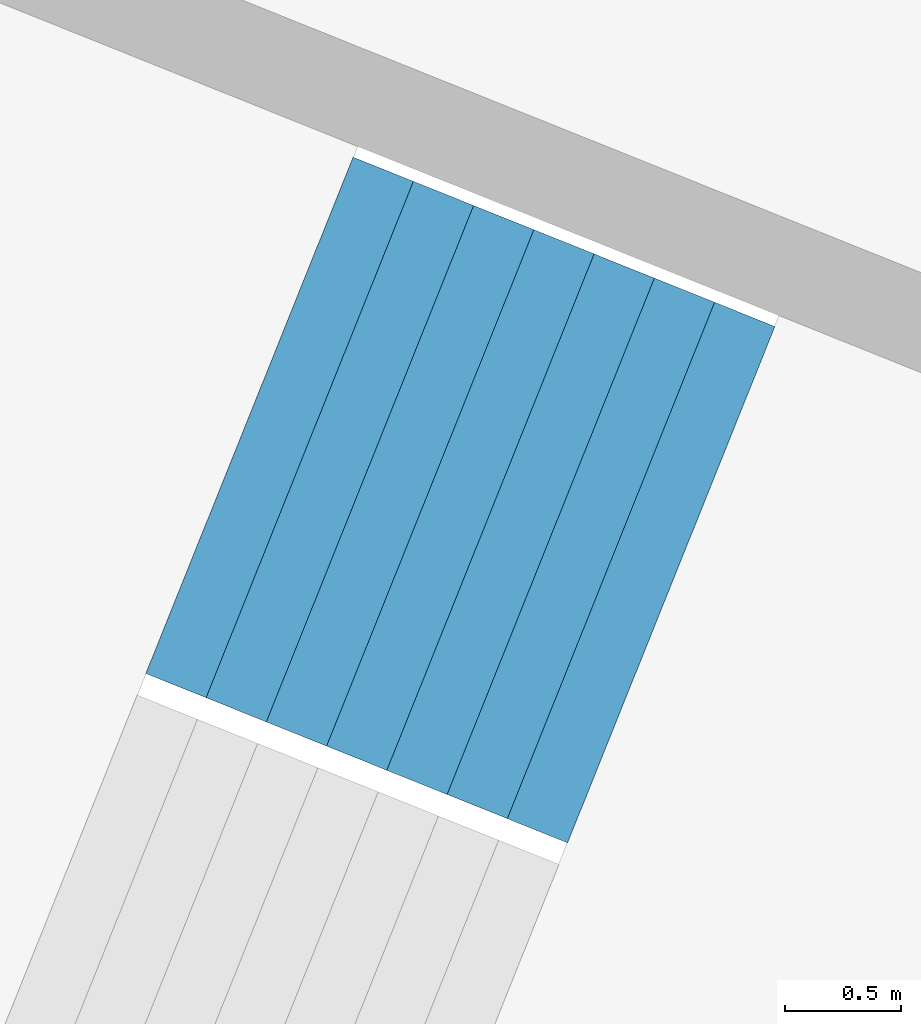
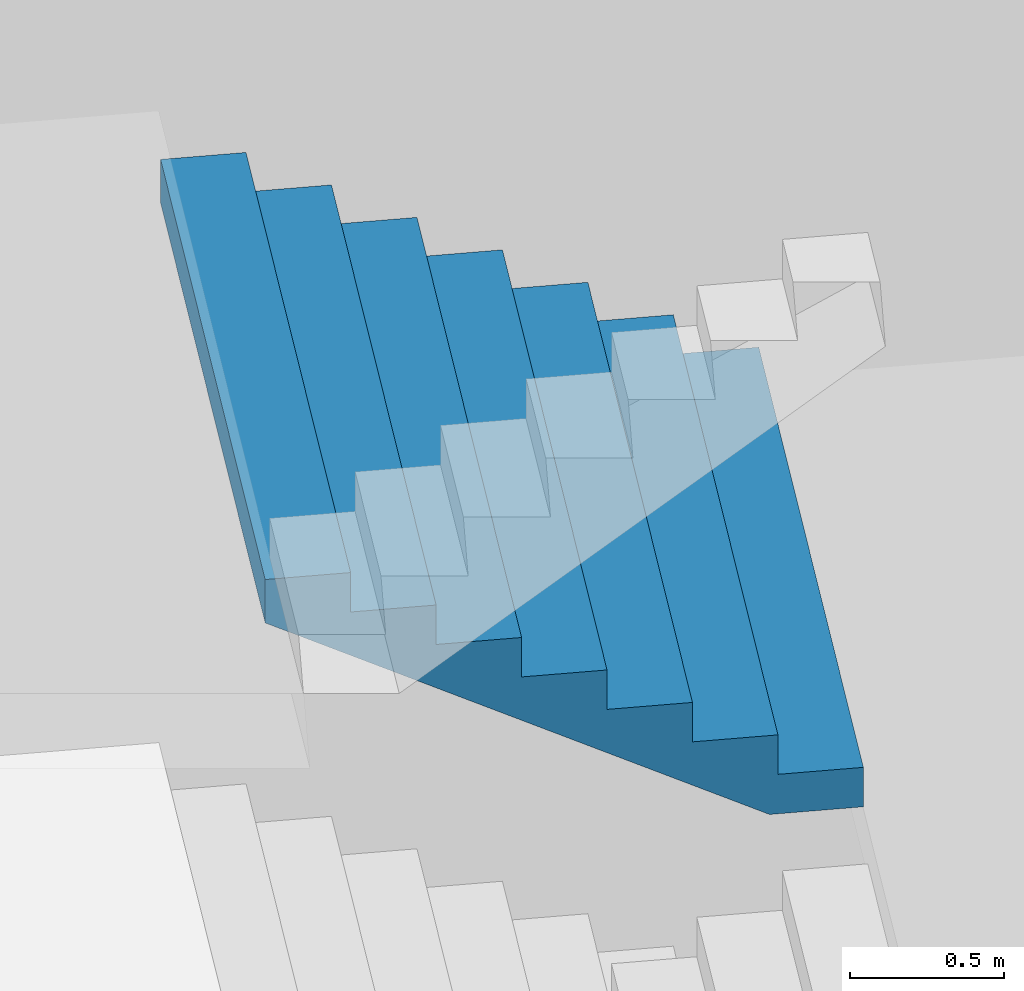
# One storey, part 36 of 73: 1 stair flight, 1 element without a shape of its own.
"""IFC4 building model written with IfcOpenShell, lengths in metres."""

from ifc_helpers import new_model, si_unit, direction, frame, origin, place, context, subcontext, project, spatial, triangles, material, type_object, element, aggregate, save


model = new_model("IFC4")

# Units and contexts
model_context = context("Model", 3, precision=1e-05, world=origin(), true_north=direction((0.0, 1.0)))
body_context = subcontext(model_context, "Body", "Model", "MODEL_VIEW")
ifc_project = project(units=[si_unit("LENGTHUNIT", "METRE"), si_unit("AREAUNIT", "SQUARE_METRE"), si_unit("VOLUMEUNIT", "CUBIC_METRE"), si_unit("PLANEANGLEUNIT", "RADIAN"), si_unit("MASSUNIT", "GRAM", prefix="KILO")], contexts=[model_context])

# Site, building, storey
site_placement = place(None, origin())
site = spatial("IfcSite", under=ifc_project, at=site_placement, CompositionType="ELEMENT")
building_placement = place(site_placement, origin())
building = spatial("IfcBuilding", under=site, at=building_placement, Name="Lantaw Convention Tower", CompositionType="ELEMENT")
storey_placement = place(building_placement, frame((0.0, 0.0, 27.0)))
storey = spatial("IfcBuildingStorey", under=building, at=storey_placement, Name="L04", CompositionType="ELEMENT", Elevation=27.0)

# Stair, stair flight
ifc_material = material(Name="Concrete C35/45", Category="concrete")
stair_type = type_object("IfcStairType", Name="Exit stair 2400 riser 156.25 in 4 flights", PredefinedType="HALF_TURN_STAIR", material=ifc_material)
stair_placement = place(storey_placement, origin())
stair = element("IfcStair", 1, at=stair_placement, inside=storey, type_object=stair_type, Name="Podium exit stair P8 L04", PredefinedType="HALF_TURN_STAIR")
stair_flight_type = type_object("IfcStairFlightType", Name="Stair flight 2400 riser 156.25", PredefinedType="STRAIGHT", material=ifc_material)
stair_flight_placement = place(storey_placement, frame((-35.799560546875, 15.71826171875, 2.5), z_axis=(0.0, 0.0, 1.0), x_axis=(-0.928015168305, 0.372542410198, 0.0)))
stair_flight = element("IfcStairFlight", 2, at=stair_flight_placement, type_object=stair_flight_type, Name="P8 flight 3", NumberOfRisers=8, NumberOfTreads=7, PredefinedType="STRAIGHT", RiserHeight=0.15625, TreadLength=0.28, context=body_context, shape_type="Tessellation", body=[
    triangles([(0.0, 1.199951171875, 0.0), (0.0, 1.199951171875, 0.15625), (0.28, 1.199951171875, 0.0), (0.28, 1.199951171875, 0.15625), (0.28, 1.199951171875, 0.3125), (0.3076200632058044, 1.199951171875, 0.0), (0.3076200632058044, 1.199951171875, 0.3125), (0.56, 1.199951171875, 0.14083701830033238), (0.56, 1.199951171875, 0.3125), (0.56, 1.199951171875, 0.46875), (0.8400000000000001, 1.199951171875, 0.29708701830033235), (0.8400000000000001, 1.199951171875, 0.46875), (0.8400000000000001, 1.199951171875, 0.625), (1.12, 1.199951171875, 0.45333701830033235), (1.12, 1.199951171875, 0.625), (1.12, 1.199951171875, 0.78125), (1.4000000000000001, 1.199951171875, 0.6095870183003324), (1.4000000000000001, 1.199951171875, 0.78125), (1.4000000000000001, 1.199951171875, 0.9375), (1.6800000000000002, 1.199951171875, 0.7658370183003324), (1.6800000000000002, 1.199951171875, 0.9375), (1.6800000000000002, 1.199951171875, 1.09375), (1.9600000000000002, 1.199951171875, 0.9220870183003324), (1.9600000000000002, 1.199951171875, 1.09375), (0.0, -1.199951171875, 0.0), (0.0, -1.199951171875, 0.15625), (0.28, -1.199951171875, 0.0), (0.28, -1.199951171875, 0.15625), (0.28, -1.199951171875, 0.3125), (0.3076200632058044, -1.199951171875, 0.0), (0.3076200632058044, -1.199951171875, 0.3125), (0.56, -1.199951171875, 0.14083701830033238), (0.56, -1.199951171875, 0.3125), (0.56, -1.199951171875, 0.46875), (0.8400000000000001, -1.199951171875, 0.29708701830033235), (0.8400000000000001, -1.199951171875, 0.46875), (0.8400000000000001, -1.199951171875, 0.625), (1.12, -1.199951171875, 0.45333701830033235), (1.12, -1.199951171875, 0.625), (1.12, -1.199951171875, 0.78125), (1.4000000000000001, -1.199951171875, 0.6095870183003324), (1.4000000000000001, -1.199951171875, 0.78125), (1.4000000000000001, -1.199951171875, 0.9375), (1.6800000000000002, -1.199951171875, 0.7658370183003324), (1.6800000000000002, -1.199951171875, 0.9375), (1.6800000000000002, -1.199951171875, 1.09375), (1.9600000000000002, -1.199951171875, 0.9220870183003324), (1.9600000000000002, -1.199951171875, 1.09375), (0.0, 0.239990234375, 0.15625), (0.0, 0.239990234375, 0.0), (0.0, 0.1919921875, 0.15625), (0.0, 0.1919921875, 0.0), (0.0, 0.143994140625, 0.15625), (0.0, 0.143994140625, 0.0), (0.0, 0.09599609375, 0.15625), (0.0, 0.09599609375, 0.0), (0.0, 0.047998046875, 0.15625), (0.0, 0.047998046875, 0.0), (0.0, 0.0, 0.15625), (0.0, 0.0, 0.0), (0.0, -0.047998046875, 0.15625), (0.0, -0.047998046875, 0.0), (0.0, -0.09599609375, 0.15625), (0.0, -0.09599609375, 0.0), (0.0, -0.143994140625, 0.15625), (0.0, -0.143994140625, 0.0), (0.0, -0.1919921875, 0.15625), (0.0, -0.1919921875, 0.0), (0.0, -0.239990234375, 0.15625), (0.0, -0.239990234375, 0.0), (0.28, 0.239990234375, 0.3125), (0.28, 0.239990234375, 0.15625), (0.28, 0.1919921875, 0.3125), (0.28, 0.1919921875, 0.15625), (0.28, 0.143994140625, 0.3125), (0.28, 0.143994140625, 0.15625), (0.28, 0.09599609375, 0.3125), (0.28, 0.09599609375, 0.15625), (0.28, 0.047998046875, 0.3125), (0.28, 0.047998046875, 0.15625), (0.28, 0.0, 0.3125), (0.28, 0.0, 0.15625), (0.28, -0.047998046875, 0.3125), (0.28, -0.047998046875, 0.15625), (0.28, -0.09599609375, 0.3125), (0.28, -0.09599609375, 0.15625), (0.28, -0.143994140625, 0.3125), (0.28, -0.143994140625, 0.15625), (0.28, -0.1919921875, 0.3125), (0.28, -0.1919921875, 0.15625), (0.28, -0.239990234375, 0.3125), (0.28, -0.239990234375, 0.15625), (0.56, 0.239990234375, 0.46875), (0.56, 0.239990234375, 0.3125), (0.56, 0.1919921875, 0.46875), (0.56, 0.1919921875, 0.3125), (0.56, 0.143994140625, 0.46875), (0.56, 0.143994140625, 0.3125), (0.56, 0.09599609375, 0.46875), (0.56, 0.09599609375, 0.3125), (0.56, 0.047998046875, 0.46875), (0.56, 0.047998046875, 0.3125), (0.56, 0.0, 0.46875), (0.56, 0.0, 0.3125), (0.56, -0.047998046875, 0.46875), (0.56, -0.047998046875, 0.3125), (0.56, -0.09599609375, 0.46875), (0.56, -0.09599609375, 0.3125), (0.56, -0.143994140625, 0.46875), (0.56, -0.143994140625, 0.3125), (0.56, -0.1919921875, 0.46875), (0.56, -0.1919921875, 0.3125), (0.56, -0.239990234375, 0.46875), (0.56, -0.239990234375, 0.3125), (0.8400000000000001, 0.239990234375, 0.625), (0.8400000000000001, 0.239990234375, 0.46875), (0.8400000000000001, 0.1919921875, 0.625), (0.8400000000000001, 0.1919921875, 0.46875), (0.8400000000000001, 0.143994140625, 0.625), (0.8400000000000001, 0.143994140625, 0.46875), (0.8400000000000001, 0.09599609375, 0.625), (0.8400000000000001, 0.09599609375, 0.46875), (0.8400000000000001, 0.047998046875, 0.625), (0.8400000000000001, 0.047998046875, 0.46875), (0.8400000000000001, 0.0, 0.625), (0.8400000000000001, 0.0, 0.46875), (0.8400000000000001, -0.047998046875, 0.625), (0.8400000000000001, -0.047998046875, 0.46875), (0.8400000000000001, -0.09599609375, 0.625), (0.8400000000000001, -0.09599609375, 0.46875), (0.8400000000000001, -0.143994140625, 0.625), (0.8400000000000001, -0.143994140625, 0.46875), (0.8400000000000001, -0.1919921875, 0.625), (0.8400000000000001, -0.1919921875, 0.46875), (0.8400000000000001, -0.239990234375, 0.625), (0.8400000000000001, -0.239990234375, 0.46875), (1.12, 0.239990234375, 0.78125), (1.12, 0.239990234375, 0.625), (1.12, 0.1919921875, 0.78125), (1.12, 0.1919921875, 0.625), (1.12, 0.143994140625, 0.78125), (1.12, 0.143994140625, 0.625), (1.12, 0.09599609375, 0.78125), (1.12, 0.09599609375, 0.625), (1.12, 0.047998046875, 0.78125), (1.12, 0.047998046875, 0.625), (1.12, 0.0, 0.78125), (1.12, 0.0, 0.625), (1.12, -0.047998046875, 0.78125), (1.12, -0.047998046875, 0.625), (1.12, -0.09599609375, 0.78125), (1.12, -0.09599609375, 0.625), (1.12, -0.143994140625, 0.78125), (1.12, -0.143994140625, 0.625), (1.12, -0.1919921875, 0.78125), (1.12, -0.1919921875, 0.625), (1.12, -0.239990234375, 0.78125), (1.12, -0.239990234375, 0.625), (1.4000000000000001, 0.239990234375, 0.9375), (1.4000000000000001, 0.239990234375, 0.78125), (1.4000000000000001, 0.1919921875, 0.9375), (1.4000000000000001, 0.1919921875, 0.78125), (1.4000000000000001, 0.143994140625, 0.9375), (1.4000000000000001, 0.143994140625, 0.78125), (1.4000000000000001, 0.09599609375, 0.9375), (1.4000000000000001, 0.09599609375, 0.78125), (1.4000000000000001, 0.047998046875, 0.9375), (1.4000000000000001, 0.047998046875, 0.78125), (1.4000000000000001, 0.0, 0.9375), (1.4000000000000001, 0.0, 0.78125), (1.4000000000000001, -0.047998046875, 0.9375), (1.4000000000000001, -0.047998046875, 0.78125), (1.4000000000000001, -0.09599609375, 0.9375), (1.4000000000000001, -0.09599609375, 0.78125), (1.4000000000000001, -0.143994140625, 0.9375), (1.4000000000000001, -0.143994140625, 0.78125), (1.4000000000000001, -0.1919921875, 0.9375), (1.4000000000000001, -0.1919921875, 0.78125), (1.4000000000000001, -0.239990234375, 0.9375), (1.4000000000000001, -0.239990234375, 0.78125), (1.6800000000000002, 0.239990234375, 1.09375), (1.6800000000000002, 0.239990234375, 0.9375), (1.6800000000000002, 0.1919921875, 1.09375), (1.6800000000000002, 0.1919921875, 0.9375), (1.6800000000000002, 0.143994140625, 1.09375), (1.6800000000000002, 0.143994140625, 0.9375), (1.6800000000000002, 0.09599609375, 1.09375), (1.6800000000000002, 0.09599609375, 0.9375), (1.6800000000000002, 0.047998046875, 1.09375), (1.6800000000000002, 0.047998046875, 0.9375), (1.6800000000000002, 0.0, 1.09375), (1.6800000000000002, 0.0, 0.9375), (1.6800000000000002, -0.047998046875, 1.09375), (1.6800000000000002, -0.047998046875, 0.9375), (1.6800000000000002, -0.09599609375, 1.09375), (1.6800000000000002, -0.09599609375, 0.9375), (1.6800000000000002, -0.143994140625, 1.09375), (1.6800000000000002, -0.143994140625, 0.9375), (1.6800000000000002, -0.1919921875, 1.09375), (1.6800000000000002, -0.1919921875, 0.9375), (1.6800000000000002, -0.239990234375, 1.09375), (1.6800000000000002, -0.239990234375, 0.9375), (0.3076200632058044, 0.239990234375, 0.3125), (0.3076200632058044, 0.1919921875, 0.3125), (0.3076200632058044, 0.143994140625, 0.3125), (0.3076200632058044, 0.09599609375, 0.3125), (0.3076200632058044, 0.047998046875, 0.3125), (0.3076200632058044, 0.0, 0.3125), (0.3076200632058044, -0.047998046875, 0.3125), (0.3076200632058044, -0.09599609375, 0.3125), (0.3076200632058044, -0.143994140625, 0.3125), (0.3076200632058044, -0.1919921875, 0.3125), (0.3076200632058044, -0.239990234375, 0.3125), (1.9600000000000002, 0.239990234375, 1.09375), (1.9600000000000002, 0.1919921875, 1.09375), (1.9600000000000002, 0.143994140625, 1.09375), (1.9600000000000002, 0.09599609375, 1.09375), (1.9600000000000002, 0.047998046875, 1.09375), (1.9600000000000002, 0.0, 1.09375), (1.9600000000000002, -0.047998046875, 1.09375), (1.9600000000000002, -0.09599609375, 1.09375), (1.9600000000000002, -0.143994140625, 1.09375), (1.9600000000000002, -0.1919921875, 1.09375), (1.9600000000000002, -0.239990234375, 1.09375), (1.9600000000000002, 0.239990234375, 0.9220870183003324), (1.9600000000000002, 0.1919921875, 0.9220870183003324), (1.9600000000000002, 0.143994140625, 0.9220870183003324), (1.9600000000000002, 0.09599609375, 0.9220870183003324), (1.9600000000000002, 0.047998046875, 0.9220870183003324), (1.9600000000000002, 0.0, 0.9220870183003324), (1.9600000000000002, -0.047998046875, 0.9220870183003324), (1.9600000000000002, -0.09599609375, 0.9220870183003324), (1.9600000000000002, -0.143994140625, 0.9220870183003324), (1.9600000000000002, -0.1919921875, 0.9220870183003324), (1.9600000000000002, -0.239990234375, 0.9220870183003324), (1.6800000000000002, 0.239990234375, 0.7658370183003324), (1.6800000000000002, 0.1919921875, 0.7658370183003324), (1.6800000000000002, 0.143994140625, 0.7658370183003324), (1.6800000000000002, 0.09599609375, 0.7658370183003324), (1.6800000000000002, 0.047998046875, 0.7658370183003324), (1.6800000000000002, 0.0, 0.7658370183003324), (1.6800000000000002, -0.047998046875, 0.7658370183003324), (1.6800000000000002, -0.09599609375, 0.7658370183003324), (1.6800000000000002, -0.143994140625, 0.7658370183003324), (1.6800000000000002, -0.1919921875, 0.7658370183003324), (1.6800000000000002, -0.239990234375, 0.7658370183003324), (1.4000000000000001, 0.239990234375, 0.6095870183003324), (1.4000000000000001, 0.1919921875, 0.6095870183003324), (1.4000000000000001, 0.143994140625, 0.6095870183003324), (1.4000000000000001, 0.09599609375, 0.6095870183003324), (1.4000000000000001, 0.047998046875, 0.6095870183003324), (1.4000000000000001, 0.0, 0.6095870183003324), (1.4000000000000001, -0.047998046875, 0.6095870183003324), (1.4000000000000001, -0.09599609375, 0.6095870183003324), (1.4000000000000001, -0.143994140625, 0.6095870183003324), (1.4000000000000001, -0.1919921875, 0.6095870183003324), (1.4000000000000001, -0.239990234375, 0.6095870183003324), (1.12, 0.239990234375, 0.45333701830033235), (1.12, 0.1919921875, 0.45333701830033235), (1.12, 0.143994140625, 0.45333701830033235), (1.12, 0.09599609375, 0.45333701830033235), (1.12, 0.047998046875, 0.45333701830033235), (1.12, 0.0, 0.45333701830033235), (1.12, -0.047998046875, 0.45333701830033235), (1.12, -0.09599609375, 0.45333701830033235), (1.12, -0.143994140625, 0.45333701830033235), (1.12, -0.1919921875, 0.45333701830033235), (1.12, -0.239990234375, 0.45333701830033235), (0.8400000000000001, 0.239990234375, 0.29708701830033235), (0.8400000000000001, 0.1919921875, 0.29708701830033235), (0.8400000000000001, 0.143994140625, 0.29708701830033235), (0.8400000000000001, 0.09599609375, 0.29708701830033235), (0.8400000000000001, 0.047998046875, 0.29708701830033235), (0.8400000000000001, 0.0, 0.29708701830033235), (0.8400000000000001, -0.047998046875, 0.29708701830033235), (0.8400000000000001, -0.09599609375, 0.29708701830033235), (0.8400000000000001, -0.143994140625, 0.29708701830033235), (0.8400000000000001, -0.1919921875, 0.29708701830033235), (0.8400000000000001, -0.239990234375, 0.29708701830033235), (0.56, 0.239990234375, 0.14083701830033238), (0.56, 0.1919921875, 0.14083701830033238), (0.56, 0.143994140625, 0.14083701830033238), (0.56, 0.09599609375, 0.14083701830033238), (0.56, 0.047998046875, 0.14083701830033238), (0.56, 0.0, 0.14083701830033238), (0.56, -0.047998046875, 0.14083701830033238), (0.56, -0.09599609375, 0.14083701830033238), (0.56, -0.143994140625, 0.14083701830033238), (0.56, -0.1919921875, 0.14083701830033238), (0.56, -0.239990234375, 0.14083701830033238), (0.3076200632058044, 0.239990234375, 0.0), (0.3076200632058044, 0.1919921875, 0.0), (0.3076200632058044, 0.143994140625, 0.0), (0.3076200632058044, 0.09599609375, 0.0), (0.3076200632058044, 0.047998046875, 0.0), (0.3076200632058044, 0.0, 0.0), (0.3076200632058044, -0.047998046875, 0.0), (0.3076200632058044, -0.09599609375, 0.0), (0.3076200632058044, -0.143994140625, 0.0), (0.3076200632058044, -0.1919921875, 0.0), (0.3076200632058044, -0.239990234375, 0.0), (0.28, 0.239990234375, 0.0), (0.28, 0.1919921875, 0.0), (0.28, 0.143994140625, 0.0), (0.28, 0.09599609375, 0.0), (0.28, 0.047998046875, 0.0), (0.28, 0.0, 0.0), (0.28, -0.047998046875, 0.0), (0.28, -0.09599609375, 0.0), (0.28, -0.143994140625, 0.0), (0.28, -0.1919921875, 0.0), (0.28, -0.239990234375, 0.0)], [[1, 4, 3], [1, 2, 4], [3, 4, 6], [4, 7, 6], [4, 5, 7], [6, 9, 8], [6, 7, 9], [8, 9, 11], [9, 12, 11], [9, 10, 12], [11, 12, 14], [12, 15, 14], [12, 13, 15], [14, 15, 17], [15, 18, 17], [15, 16, 18], [17, 18, 20], [18, 21, 20], [18, 19, 21], [20, 21, 23], [21, 24, 23], [21, 22, 24], [25, 27, 28], [25, 28, 26], [27, 30, 28], [28, 30, 31], [28, 31, 29], [30, 32, 33], [30, 33, 31], [32, 35, 33], [33, 35, 36], [33, 36, 34], [35, 38, 36], [36, 38, 39], [36, 39, 37], [38, 41, 39], [39, 41, 42], [39, 42, 40], [41, 44, 42], [42, 44, 45], [42, 45, 43], [44, 47, 45], [45, 47, 48], [45, 48, 46], [1, 49, 2], [1, 50, 49], [50, 51, 49], [50, 52, 51], [52, 53, 51], [52, 54, 53], [54, 55, 53], [54, 56, 55], [56, 57, 55], [56, 58, 57], [58, 59, 57], [58, 60, 59], [60, 61, 59], [60, 62, 61], [62, 63, 61], [62, 64, 63], [64, 65, 63], [64, 66, 65], [66, 67, 65], [66, 68, 67], [68, 69, 67], [68, 70, 69], [70, 26, 69], [70, 25, 26], [4, 71, 5], [4, 72, 71], [72, 73, 71], [72, 74, 73], [74, 75, 73], [74, 76, 75], [76, 77, 75], [76, 78, 77], [78, 79, 77], [78, 80, 79], [80, 81, 79], [80, 82, 81], [82, 83, 81], [82, 84, 83], [84, 85, 83], [84, 86, 85], [86, 87, 85], [86, 88, 87], [88, 89, 87], [88, 90, 89], [90, 91, 89], [90, 92, 91], [92, 29, 91], [92, 28, 29], [9, 93, 10], [9, 94, 93], [94, 95, 93], [94, 96, 95], [96, 97, 95], [96, 98, 97], [98, 99, 97], [98, 100, 99], [100, 101, 99], [100, 102, 101], [102, 103, 101], [102, 104, 103], [104, 105, 103], [104, 106, 105], [106, 107, 105], [106, 108, 107], [108, 109, 107], [108, 110, 109], [110, 111, 109], [110, 112, 111], [112, 113, 111], [112, 114, 113], [114, 34, 113], [114, 33, 34], [12, 115, 13], [12, 116, 115], [116, 117, 115], [116, 118, 117], [118, 119, 117], [118, 120, 119], [120, 121, 119], [120, 122, 121], [122, 123, 121], [122, 124, 123], [124, 125, 123], [124, 126, 125], [126, 127, 125], [126, 128, 127], [128, 129, 127], [128, 130, 129], [130, 131, 129], [130, 132, 131], [132, 133, 131], [132, 134, 133], [134, 135, 133], [134, 136, 135], [136, 37, 135], [136, 36, 37], [15, 137, 16], [15, 138, 137], [138, 139, 137], [138, 140, 139], [140, 141, 139], [140, 142, 141], [142, 143, 141], [142, 144, 143], [144, 145, 143], [144, 146, 145], [146, 147, 145], [146, 148, 147], [148, 149, 147], [148, 150, 149], [150, 151, 149], [150, 152, 151], [152, 153, 151], [152, 154, 153], [154, 155, 153], [154, 156, 155], [156, 157, 155], [156, 158, 157], [158, 40, 157], [158, 39, 40], [18, 159, 19], [18, 160, 159], [160, 161, 159], [160, 162, 161], [162, 163, 161], [162, 164, 163], [164, 165, 163], [164, 166, 165], [166, 167, 165], [166, 168, 167], [168, 169, 167], [168, 170, 169], [170, 171, 169], [170, 172, 171], [172, 173, 171], [172, 174, 173], [174, 175, 173], [174, 176, 175], [176, 177, 175], [176, 178, 177], [178, 179, 177], [178, 180, 179], [180, 43, 179], [180, 42, 43], [21, 181, 22], [21, 182, 181], [182, 183, 181], [182, 184, 183], [184, 185, 183], [184, 186, 185], [186, 187, 185], [186, 188, 187], [188, 189, 187], [188, 190, 189], [190, 191, 189], [190, 192, 191], [192, 193, 191], [192, 194, 193], [194, 195, 193], [194, 196, 195], [196, 197, 195], [196, 198, 197], [198, 199, 197], [198, 200, 199], [200, 201, 199], [200, 202, 201], [202, 46, 201], [202, 45, 46], [2, 72, 4], [2, 49, 72], [49, 74, 72], [49, 51, 74], [51, 76, 74], [51, 53, 76], [53, 78, 76], [53, 55, 78], [55, 80, 78], [55, 57, 80], [57, 82, 80], [57, 59, 82], [59, 84, 82], [59, 61, 84], [61, 86, 84], [61, 63, 86], [63, 88, 86], [63, 65, 88], [65, 90, 88], [65, 67, 90], [67, 92, 90], [67, 69, 92], [69, 28, 92], [69, 26, 28], [5, 203, 7], [5, 71, 203], [71, 204, 203], [71, 73, 204], [73, 205, 204], [73, 75, 205], [75, 206, 205], [75, 77, 206], [77, 207, 206], [77, 79, 207], [79, 208, 207], [79, 81, 208], [81, 209, 208], [81, 83, 209], [83, 210, 209], [83, 85, 210], [85, 211, 210], [85, 87, 211], [87, 212, 211], [87, 89, 212], [89, 213, 212], [89, 91, 213], [91, 31, 213], [91, 29, 31], [7, 94, 9], [7, 203, 94], [203, 96, 94], [203, 204, 96], [204, 98, 96], [204, 205, 98], [205, 100, 98], [205, 206, 100], [206, 102, 100], [206, 207, 102], [207, 104, 102], [207, 208, 104], [208, 106, 104], [208, 209, 106], [209, 108, 106], [209, 210, 108], [210, 110, 108], [210, 211, 110], [211, 112, 110], [211, 212, 112], [212, 114, 112], [212, 213, 114], [213, 33, 114], [213, 31, 33], [10, 116, 12], [10, 93, 116], [93, 118, 116], [93, 95, 118], [95, 120, 118], [95, 97, 120], [97, 122, 120], [97, 99, 122], [99, 124, 122], [99, 101, 124], [101, 126, 124], [101, 103, 126], [103, 128, 126], [103, 105, 128], [105, 130, 128], [105, 107, 130], [107, 132, 130], [107, 109, 132], [109, 134, 132], [109, 111, 134], [111, 136, 134], [111, 113, 136], [113, 36, 136], [113, 34, 36], [13, 138, 15], [13, 115, 138], [115, 140, 138], [115, 117, 140], [117, 142, 140], [117, 119, 142], [119, 144, 142], [119, 121, 144], [121, 146, 144], [121, 123, 146], [123, 148, 146], [123, 125, 148], [125, 150, 148], [125, 127, 150], [127, 152, 150], [127, 129, 152], [129, 154, 152], [129, 131, 154], [131, 156, 154], [131, 133, 156], [133, 158, 156], [133, 135, 158], [135, 39, 158], [135, 37, 39], [16, 160, 18], [16, 137, 160], [137, 162, 160], [137, 139, 162], [139, 164, 162], [139, 141, 164], [141, 166, 164], [141, 143, 166], [143, 168, 166], [143, 145, 168], [145, 170, 168], [145, 147, 170], [147, 172, 170], [147, 149, 172], [149, 174, 172], [149, 151, 174], [151, 176, 174], [151, 153, 176], [153, 178, 176], [153, 155, 178], [155, 180, 178], [155, 157, 180], [157, 42, 180], [157, 40, 42], [19, 182, 21], [19, 159, 182], [159, 184, 182], [159, 161, 184], [161, 186, 184], [161, 163, 186], [163, 188, 186], [163, 165, 188], [165, 190, 188], [165, 167, 190], [167, 192, 190], [167, 169, 192], [169, 194, 192], [169, 171, 194], [171, 196, 194], [171, 173, 196], [173, 198, 196], [173, 175, 198], [175, 200, 198], [175, 177, 200], [177, 202, 200], [177, 179, 202], [179, 45, 202], [179, 43, 45], [22, 214, 24], [22, 181, 214], [181, 215, 214], [181, 183, 215], [183, 216, 215], [183, 185, 216], [185, 217, 216], [185, 187, 217], [187, 218, 217], [187, 189, 218], [189, 219, 218], [189, 191, 219], [191, 220, 219], [191, 193, 220], [193, 221, 220], [193, 195, 221], [195, 222, 221], [195, 197, 222], [197, 223, 222], [197, 199, 223], [199, 224, 223], [199, 201, 224], [201, 48, 224], [201, 46, 48], [24, 225, 23], [24, 214, 225], [214, 226, 225], [214, 215, 226], [215, 227, 226], [215, 216, 227], [216, 228, 227], [216, 217, 228], [217, 229, 228], [217, 218, 229], [218, 230, 229], [218, 219, 230], [219, 231, 230], [219, 220, 231], [220, 232, 231], [220, 221, 232], [221, 233, 232], [221, 222, 233], [222, 234, 233], [222, 223, 234], [223, 235, 234], [223, 224, 235], [224, 47, 235], [224, 48, 47], [23, 236, 20], [23, 225, 236], [225, 237, 236], [225, 226, 237], [226, 238, 237], [226, 227, 238], [227, 239, 238], [227, 228, 239], [228, 240, 239], [228, 229, 240], [229, 241, 240], [229, 230, 241], [230, 242, 241], [230, 231, 242], [231, 243, 242], [231, 232, 243], [232, 244, 243], [232, 233, 244], [233, 245, 244], [233, 234, 245], [234, 246, 245], [234, 235, 246], [235, 44, 246], [235, 47, 44], [20, 247, 17], [20, 236, 247], [236, 248, 247], [236, 237, 248], [237, 249, 248], [237, 238, 249], [238, 250, 249], [238, 239, 250], [239, 251, 250], [239, 240, 251], [240, 252, 251], [240, 241, 252], [241, 253, 252], [241, 242, 253], [242, 254, 253], [242, 243, 254], [243, 255, 254], [243, 244, 255], [244, 256, 255], [244, 245, 256], [245, 257, 256], [245, 246, 257], [246, 41, 257], [246, 44, 41], [17, 258, 14], [17, 247, 258], [247, 259, 258], [247, 248, 259], [248, 260, 259], [248, 249, 260], [249, 261, 260], [249, 250, 261], [250, 262, 261], [250, 251, 262], [251, 263, 262], [251, 252, 263], [252, 264, 263], [252, 253, 264], [253, 265, 264], [253, 254, 265], [254, 266, 265], [254, 255, 266], [255, 267, 266], [255, 256, 267], [256, 268, 267], [256, 257, 268], [257, 38, 268], [257, 41, 38], [14, 269, 11], [14, 258, 269], [258, 270, 269], [258, 259, 270], [259, 271, 270], [259, 260, 271], [260, 272, 271], [260, 261, 272], [261, 273, 272], [261, 262, 273], [262, 274, 273], [262, 263, 274], [263, 275, 274], [263, 264, 275], [264, 276, 275], [264, 265, 276], [265, 277, 276], [265, 266, 277], [266, 278, 277], [266, 267, 278], [267, 279, 278], [267, 268, 279], [268, 35, 279], [268, 38, 35], [11, 280, 8], [11, 269, 280], [269, 281, 280], [269, 270, 281], [270, 282, 281], [270, 271, 282], [271, 283, 282], [271, 272, 283], [272, 284, 283], [272, 273, 284], [273, 285, 284], [273, 274, 285], [274, 286, 285], [274, 275, 286], [275, 287, 286], [275, 276, 287], [276, 288, 287], [276, 277, 288], [277, 289, 288], [277, 278, 289], [278, 290, 289], [278, 279, 290], [279, 32, 290], [279, 35, 32], [8, 291, 6], [8, 280, 291], [280, 292, 291], [280, 281, 292], [281, 293, 292], [281, 282, 293], [282, 294, 293], [282, 283, 294], [283, 295, 294], [283, 284, 295], [284, 296, 295], [284, 285, 296], [285, 297, 296], [285, 286, 297], [286, 298, 297], [286, 287, 298], [287, 299, 298], [287, 288, 299], [288, 300, 299], [288, 289, 300], [289, 301, 300], [289, 290, 301], [290, 30, 301], [290, 32, 30], [6, 302, 3], [6, 291, 302], [291, 303, 302], [291, 292, 303], [292, 304, 303], [292, 293, 304], [293, 305, 304], [293, 294, 305], [294, 306, 305], [294, 295, 306], [295, 307, 306], [295, 296, 307], [296, 308, 307], [296, 297, 308], [297, 309, 308], [297, 298, 309], [298, 310, 309], [298, 299, 310], [299, 311, 310], [299, 300, 311], [300, 312, 311], [300, 301, 312], [301, 27, 312], [301, 30, 27], [3, 50, 1], [3, 302, 50], [302, 52, 50], [302, 303, 52], [303, 54, 52], [303, 304, 54], [304, 56, 54], [304, 305, 56], [305, 58, 56], [305, 306, 58], [306, 60, 58], [306, 307, 60], [307, 62, 60], [307, 308, 62], [308, 64, 62], [308, 309, 64], [309, 66, 64], [309, 310, 66], [310, 68, 66], [310, 311, 68], [311, 70, 68], [311, 312, 70], [312, 25, 70], [312, 27, 25]], closed=True),
])
aggregate(stair, [stair_flight])

save(model, "model.ifc")
